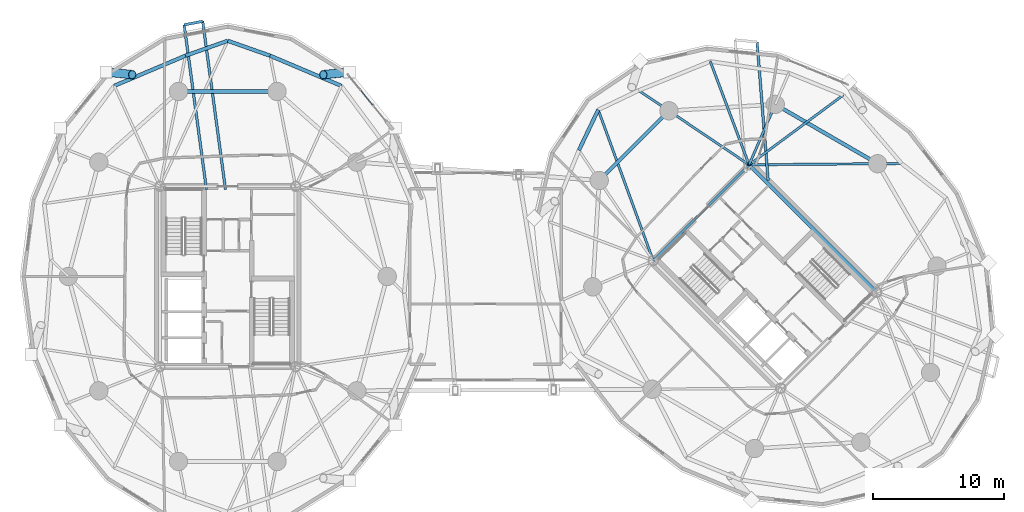
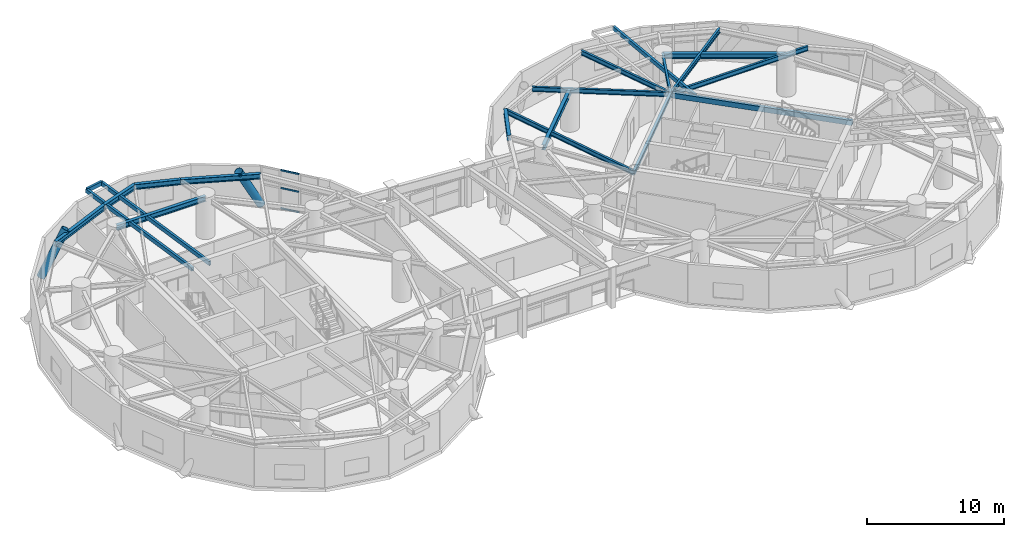
# One storey, part 7 of 20: 20 beams, 5 members, 1 element without a shape of its own.
"""IFC4 building model written with IfcOpenShell, lengths in metres."""

from ifc_helpers import new_model, si_unit, direction, frame, origin, origin_2d, place, context, subcontext, project, spatial, hollow_rectangle, hollow_circle, i_section, extrude, material, layer, layer_set, material_profile, profile_set, type_object, element, aggregate, save


model = new_model("IFC4")

# Units and contexts
model_context = context("Model", 3, precision=1e-05, world=origin(), true_north=direction((0.0, 1.0)))
body_context = subcontext(model_context, "Body", "Model", "MODEL_VIEW")
ifc_project = project(units=[si_unit("LENGTHUNIT", "METRE"), si_unit("AREAUNIT", "SQUARE_METRE"), si_unit("VOLUMEUNIT", "CUBIC_METRE"), si_unit("PLANEANGLEUNIT", "RADIAN"), si_unit("MASSUNIT", "GRAM", prefix="KILO")], contexts=[model_context])

# Site, building, storey
site_placement = place(None, origin())
site = spatial("IfcSite", under=ifc_project, at=site_placement, CompositionType="ELEMENT")
building_placement = place(site_placement, origin())
building = spatial("IfcBuilding", under=site, at=building_placement, Name="Cununo Teusaquillo Station Towers", CompositionType="ELEMENT")
storey_placement = place(building_placement, frame((0.0, 0.0, 140.320068359375)))
storey = spatial("IfcBuildingStorey", under=building, at=storey_placement, Name="L44", CompositionType="ELEMENT", Elevation=140.320068359375)

# Beams
ifc_material_1 = material(Name="Steel EN 10025-2 S355J2", Category="steel")
ifc_material_profile_1 = material_profile(ifc_material_1, hollow_rectangle(XDim=0.199951171875, YDim=0.35009765625, WallThickness=0.013916015625, at=origin_2d()), Name="RHS 350x200x14")
ifc_profile_set_1 = profile_set([ifc_material_profile_1], Name="Steel EN 10025-2 S355J2")
beam_type_1 = type_object("IfcBeamType", Name="BM-BAL-CANT", PredefinedType="BEAM", material=ifc_profile_set_1)
beam_1_placement = place(storey_placement, frame((16.325439453125, 31.14990234375, 3.304931640625), z_axis=(-0.13427925042, 0.990943531644, 0.0), x_axis=(-0.990943531644, -0.13427925042, 0.0)))
element("IfcBeam", 1, at=beam_1_placement, inside=storey, type_object=beam_type_1, Name="L44 Tower A Balcony Cantilever Bracket 1A", PredefinedType="BEAM", context=body_context, shape_type="SweptSolid", body=[
    extrude(hollow_rectangle(XDim=0.199951171875, YDim=0.35009765625, WallThickness=0.013916015625, at=origin_2d()), origin(), (0.0, 0.0, 1.0), 12.947021484375),
])
beam_2_placement = place(storey_placement, frame((14.872314453125, 31.14990234375, 3.304931640625), z_axis=(-0.134274846508, 0.990944128392, 0.0), x_axis=(-0.990944128392, -0.134274846508, 0.0)))
element("IfcBeam", 2, at=beam_2_placement, inside=storey, type_object=beam_type_1, Name="L44 Tower A Balcony Cantilever Bracket 1B", PredefinedType="BEAM", context=body_context, shape_type="SweptSolid", body=[
    extrude(hollow_rectangle(XDim=0.199951171875, YDim=0.35009765625, WallThickness=0.013916015625, at=origin_2d()), origin(), (0.0, 0.0, 1.0), 12.671142578125),
])
beam_3_placement = place(storey_placement, frame((57.74853515625, 31.8173828125, 3.304931640625), z_axis=(-0.079442545434, 0.996839446438, 0.0), x_axis=(-0.996839446438, -0.079442545434, 0.0)))
element("IfcBeam", 3, at=beam_3_placement, inside=storey, type_object=beam_type_1, Name="L44 Tower B Balcony Cantilever Bracket 1A", PredefinedType="BEAM", context=body_context, shape_type="SweptSolid", body=[
    extrude(hollow_rectangle(XDim=0.199951171875, YDim=0.35009765625, WallThickness=0.013916015625, at=origin_2d()), origin(), (0.0, 0.0, 1.0), 10.611572265625),
])
ifc_material_2 = material(Name="Steel EN 10025-2 S355J2", Category="steel")
ifc_material_profile_2 = material_profile(ifc_material_2, hollow_rectangle(XDim=0.25, YDim=0.449951171875, WallThickness=0.01611328125, at=origin_2d()), Name="RHS 450x250x16")
ifc_profile_set_2 = profile_set([ifc_material_profile_2], Name="Steel EN 10025-2 S355J2")
beam_type_2 = type_object("IfcBeamType", Name="BM-COUP-1", PredefinedType="USERDEFINED", material=ifc_profile_set_2)
beam_4_placement = place(storey_placement, frame((66.024169921875, 23.29443359375, 3.2548828125), z_axis=(-0.707106781187, 0.707106781187, 0.0), x_axis=(-0.707106781187, -0.707106781187, 0.0)))
element("IfcBeam", 4, at=beam_4_placement, inside=storey, type_object=beam_type_2, Name="L44 Tower B Core Beam 2", ObjectType="COUPLING BEAM", PredefinedType="USERDEFINED", context=body_context, shape_type="SweptSolid", body=[
    extrude(hollow_rectangle(XDim=0.25, YDim=0.449951171875, WallThickness=0.01611328125, at=origin_2d()), origin(), (0.0, 0.0, 1.0), 13.760009765625),
])
ifc_material_3 = material(Name="Steel ASTM A572 Grade 50", Category="steel")
ifc_material_profile_3 = material_profile(ifc_material_3, i_section(OverallWidth=0.180908203125, OverallDepth=0.4169921875, WebThickness=0.010986328125, FlangeThickness=0.018310546875, FilletRadius=0.012939453125, at=origin_2d()), Name="W16X57")
ifc_profile_set_3 = profile_set([ifc_material_profile_3], Name="Steel ASTM A572 Grade 50")
beam_type_3 = type_object("IfcBeamType", Name="BM-JOIST-1", PredefinedType="JOIST", material=ifc_profile_set_3)
beam_5_placement = place(storey_placement, frame((56.29443359375, 33.024169921875, 3.271484375), z_axis=(0.803848430471, 0.594834179272, 0.0), x_axis=(-0.594834179272, 0.803848430471, 0.0)))
element("IfcBeam", 5, at=beam_5_placement, inside=storey, type_object=beam_type_3, Name="L44 Tower B Radial Spandrel Joist V01", PredefinedType="JOIST", context=body_context, shape_type="SweptSolid", body=[
    extrude(i_section(OverallWidth=0.180908203125, OverallDepth=0.4169921875, WebThickness=0.010986328125, FlangeThickness=0.018310546875, FilletRadius=0.012939453125, at=origin_2d()), origin(), (0.0, 0.0, 1.0), 8.936767578125),
])
beam_6_placement = place(storey_placement, frame((56.29443359375, 33.024169921875, 3.271484375), z_axis=(-0.351348805076, 0.936244635323, 0.0), x_axis=(-0.936244635323, -0.351348805076, 0.0)))
element("IfcBeam", 6, at=beam_6_placement, inside=storey, type_object=beam_type_3, Name="L44 Tower B Radial Spandrel Joist V03", PredefinedType="JOIST", context=body_context, shape_type="SweptSolid", body=[
    extrude(i_section(OverallWidth=0.180908203125, OverallDepth=0.4169921875, WebThickness=0.010986328125, FlangeThickness=0.018310546875, FilletRadius=0.012939453125, at=origin_2d()), origin(), (0.0, 0.0, 1.0), 8.4287109375),
])
beam_7_placement = place(storey_placement, frame((48.975830078125, 25.70556640625, 3.271484375), z_axis=(-0.34241791496, 0.939547748395, 0.0), x_axis=(-0.939547748395, -0.34241791496, 0.0)))
element("IfcBeam", 7, at=beam_7_placement, inside=storey, type_object=beam_type_3, Name="L44 Tower B Radial Spandrel Joist V05", PredefinedType="JOIST", context=body_context, shape_type="SweptSolid", body=[
    extrude(i_section(OverallWidth=0.180908203125, OverallDepth=0.4169921875, WebThickness=0.010986328125, FlangeThickness=0.018310546875, FilletRadius=0.012939453125, at=origin_2d()), origin(), (0.0, 0.0, 1.0), 12.25634765625),
])
ifc_material_4 = material(Name="Steel ASTM A572 Grade 50", Category="steel")
ifc_material_profile_4 = material_profile(ifc_material_4, i_section(OverallWidth=0.2041015625, OverallDepth=0.35009765625, WebThickness=0.008544921875, FlangeThickness=0.01513671875, FilletRadius=0.011962890625, at=origin_2d()), Name="W14X48")
ifc_profile_set_4 = profile_set([ifc_material_profile_4], Name="Steel ASTM A572 Grade 50")
beam_type_4 = type_object("IfcBeamType", Name="BM-LINTEL-1", PredefinedType="LINTEL", material=ifc_profile_set_4)
beam_8_placement = place(storey_placement, frame((48.975830078125, 25.70556640625, 3.304931640625), z_axis=(0.707106781187, 0.707106781187, 0.0), x_axis=(-0.707106781187, 0.707106781187, 0.0)))
element("IfcBeam", 8, at=beam_8_placement, inside=storey, type_object=beam_type_4, Name="L44 Tower B Core Beam 4", PredefinedType="LINTEL", context=body_context, shape_type="SweptSolid", body=[
    extrude(i_section(OverallWidth=0.2041015625, OverallDepth=0.35009765625, WebThickness=0.008544921875, FlangeThickness=0.01513671875, FilletRadius=0.011962890625, at=origin_2d()), origin(), (0.0, 0.0, 1.0), 10.35009765625),
])
ifc_material_5 = material(Name="Steel ASTM A572 Grade 50", Category="steel")
ifc_material_profile_5 = material_profile(ifc_material_5, i_section(OverallWidth=0.180908203125, OverallDepth=0.4169921875, WebThickness=0.010986328125, FlangeThickness=0.018310546875, FilletRadius=0.012939453125, at=origin_2d()), Name="W16X57")
ifc_profile_set_5 = profile_set([ifc_material_profile_5], Name="Steel ASTM A572 Grade 50")
beam_type_5 = type_object("IfcBeamType", Name="BM-RAD-G2", PredefinedType="BEAM", material=ifc_profile_set_5)
beam_9_placement = place(storey_placement, frame((56.29443359375, 33.024169921875, 3.271484375), z_axis=(0.999964454788, 0.008431438866, 0.0), x_axis=(-0.008431438866, 0.999964454788, 0.0)))
element("IfcBeam", 9, at=beam_9_placement, inside=storey, type_object=beam_type_5, Name="L44 Tower B Continuous Overhanging Radial Girder 01", PredefinedType="BEAM", context=body_context, shape_type="SweptSolid", body=[
    extrude(i_section(OverallWidth=0.180908203125, OverallDepth=0.4169921875, WebThickness=0.010986328125, FlangeThickness=0.018310546875, FilletRadius=0.012939453125, at=origin_2d()), origin(), (0.0, 0.0, 1.0), 11.640380859375),
])
beam_10_placement = place(storey_placement, frame((56.29443359375, 33.024169921875, 3.271484375), z_axis=(0.397346986387, 0.917668443616, 0.0), x_axis=(-0.917668443616, 0.397346986387, 0.0)))
element("IfcBeam", 10, at=beam_10_placement, inside=storey, type_object=beam_type_5, Name="L44 Tower B Radial Girder 02A", PredefinedType="BEAM", context=body_context, shape_type="SweptSolid", body=[
    extrude(i_section(OverallWidth=0.180908203125, OverallDepth=0.4169921875, WebThickness=0.010986328125, FlangeThickness=0.018310546875, FilletRadius=0.012939453125, at=origin_2d()), origin(), (0.0, 0.0, 1.0), 5.02490234375),
])
beam_11_placement = place(storey_placement, frame((56.29443359375, 33.024169921875, 3.271484375), z_axis=(-0.829456923219, 0.558570687133, 0.0), x_axis=(-0.558570687133, -0.829456923219, 0.0)))
element("IfcBeam", 11, at=beam_11_placement, inside=storey, type_object=beam_type_5, Name="L44 Tower B Continuous Overhanging Radial Girder 03", PredefinedType="BEAM", context=body_context, shape_type="SweptSolid", body=[
    extrude(i_section(OverallWidth=0.180908203125, OverallDepth=0.4169921875, WebThickness=0.010986328125, FlangeThickness=0.018310546875, FilletRadius=0.012939453125, at=origin_2d()), origin(), (0.0, 0.0, 1.0), 10.1591796875),
])
ifc_material_6 = material(Name="Steel ASTM A572 Grade 50", Category="steel")
ifc_material_profile_6 = material_profile(ifc_material_6, i_section(OverallWidth=0.280029296875, OverallDepth=0.462890625, WebThickness=0.0107421875, FlangeThickness=0.017333984375, FilletRadius=0.013916015625, at=origin_2d()), Name="W18X76")
ifc_profile_set_6 = profile_set([ifc_material_profile_6], Name="Steel ASTM A572 Grade 50")
beam_type_6 = type_object("IfcBeamType", Name="BM-RING-Z2", PredefinedType="SPANDREL", material=ifc_profile_set_6)
beam_12_placement = place(storey_placement, frame((20.261474609375, 38.623291015625, 3.24853515625), z_axis=(-1.0, 0.0, 0.0), x_axis=(0.0, -1.0, 0.0)))
element("IfcBeam", 12, at=beam_12_placement, inside=storey, type_object=beam_type_6, Name="L44 Tower A Structural Column Ring Girder 03", PredefinedType="SPANDREL", context=body_context, shape_type="SweptSolid", body=[
    extrude(i_section(OverallWidth=0.280029296875, OverallDepth=0.462890625, WebThickness=0.0107421875, FlangeThickness=0.017333984375, FilletRadius=0.013916015625, at=origin_2d()), origin(), (0.0, 0.0, 1.0), 7.52294921875),
])
beam_13_placement = place(storey_placement, frame((25.160888671875, 39.05419921875, 3.24853515625), z_axis=(-0.921042081118, 0.38946307246, 0.0), x_axis=(-0.38946307246, -0.921042081118, 0.0)))
element("IfcBeam", 13, at=beam_13_placement, inside=storey, type_object=beam_type_6, Name="L44 Tower A Spandrel Ring Beam 04", PredefinedType="SPANDREL", context=body_context, shape_type="SweptSolid", body=[
    extrude(i_section(OverallWidth=0.280029296875, OverallDepth=0.462890625, WebThickness=0.0107421875, FlangeThickness=0.017333984375, FilletRadius=0.013916015625, at=origin_2d()), origin(), (0.0, 0.0, 1.0), 5.8974609375),
])
for number, where, z_axis, x_axis, name in (
    (14, (19.72900390625, 41.35107421875, 3.24853515625), (-0.943057449198, 0.332629895698, 0.0), (-0.332629895698, -0.943057449198, 0.0), "L44 Tower A Spandrel Ring Beam 05"),
    (15, (16.5, 42.489990234375, 3.24853515625), (-0.943057449198, -0.332629895698, 0.0), (0.332629895698, -0.943057449198, 0.0), "L44 Tower A Spandrel Ring Beam 06"),
):
    element("IfcBeam", number, at=place(storey_placement, frame(where, z_axis=z_axis, x_axis=x_axis)), inside=storey, type_object=beam_type_6, Name=name, PredefinedType="SPANDREL", context=body_context, shape_type="SweptSolid", body=[
        extrude(i_section(OverallWidth=0.280029296875, OverallDepth=0.462890625, WebThickness=0.0107421875, FlangeThickness=0.017333984375, FilletRadius=0.013916015625, at=origin_2d()), origin(), (0.0, 0.0, 1.0), 3.424072265625),
    ])
beam_14_placement = place(storey_placement, frame((13.27099609375, 41.35107421875, 3.24853515625), z_axis=(-0.921042081118, -0.38946307246, 0.0), x_axis=(0.38946307246, -0.921042081118, 0.0)))
element("IfcBeam", 16, at=beam_14_placement, inside=storey, type_object=beam_type_6, Name="L44 Tower A Spandrel Ring Beam 07", PredefinedType="SPANDREL", context=body_context, shape_type="SweptSolid", body=[
    extrude(i_section(OverallWidth=0.280029296875, OverallDepth=0.462890625, WebThickness=0.0107421875, FlangeThickness=0.017333984375, FilletRadius=0.013916015625, at=origin_2d()), origin(), (0.0, 0.0, 1.0), 5.8974609375),
])
beam_15_placement = place(storey_placement, frame((66.10693359375, 33.10693359375, 3.24853515625), z_axis=(-0.865267103202, 0.501311121078, 0.0), x_axis=(-0.501311121078, -0.865267103202, 0.0)))
element("IfcBeam", 17, at=beam_15_placement, inside=storey, type_object=beam_type_6, Name="L44 Tower B Structural Column Ring Girder 01", PredefinedType="SPANDREL", context=body_context, shape_type="SweptSolid", body=[
    extrude(i_section(OverallWidth=0.280029296875, OverallDepth=0.462890625, WebThickness=0.0107421875, FlangeThickness=0.017333984375, FilletRadius=0.013916015625, at=origin_2d()), origin(), (0.0, 0.0, 1.0), 9.032958984375),
])
beam_16_placement = place(storey_placement, frame((50.173095703125, 37.146240234375, 3.24853515625), z_axis=(-0.707106781187, -0.707106781187, 0.0), x_axis=(0.707106781187, -0.707106781187, 0.0)))
element("IfcBeam", 18, at=beam_16_placement, inside=storey, type_object=beam_type_6, Name="L44 Tower B Structural Column Ring Girder 03", PredefinedType="SPANDREL", context=body_context, shape_type="SweptSolid", body=[
    extrude(i_section(OverallWidth=0.280029296875, OverallDepth=0.462890625, WebThickness=0.0107421875, FlangeThickness=0.017333984375, FilletRadius=0.013916015625, at=origin_2d()), origin(), (0.0, 0.0, 1.0), 7.522705078125),
])
beam_17_placement = place(storey_placement, frame((44.779052734375, 37.220947265625, 3.24853515625), z_axis=(-0.431574069634, -0.902077503555, 0.0), x_axis=(0.902077503555, -0.431574069634, 0.0)))
element("IfcBeam", 19, at=beam_17_placement, inside=storey, type_object=beam_type_6, Name="L44 Tower B Spandrel Ring Beam 06", PredefinedType="SPANDREL", context=body_context, shape_type="SweptSolid", body=[
    extrude(i_section(OverallWidth=0.280029296875, OverallDepth=0.462890625, WebThickness=0.0107421875, FlangeThickness=0.017333984375, FilletRadius=0.013916015625, at=origin_2d()), origin(), (0.0, 0.0, 1.0), 3.424072265625),
])
ifc_material_7 = material(Name="Steel EN 10025-2 S355J2", Category="steel")
ifc_material_profile_7 = material_profile(ifc_material_7, hollow_rectangle(XDim=0.199951171875, YDim=0.35009765625, WallThickness=0.013916015625, at=origin_2d()), Name="RHS 350x200x14")
ifc_profile_set_7 = profile_set([ifc_material_profile_7], Name="Steel EN 10025-2 S355J2")
beam_type_7 = type_object("IfcBeamType", Name="BM-STAIR-TRIM", PredefinedType="BEAM", material=ifc_profile_set_7)
beam_18_placement = place(storey_placement, frame((14.5869140625, 43.979736328125, 3.3349609375), z_axis=(-0.981861262275, -0.189600795474, 0.0), x_axis=(0.189600795474, -0.981861262275, 0.0)))
element("IfcBeam", 20, at=beam_18_placement, inside=storey, type_object=beam_type_7, Name="L44 Tower A Balcony Edge Trimmer Beam 1", PredefinedType="BEAM", context=body_context, shape_type="SweptSolid", body=[
    extrude(hollow_rectangle(XDim=0.199951171875, YDim=0.35009765625, WallThickness=0.013916015625, at=origin_2d()), origin(), (0.0, 0.0, 1.0), 1.442138671875),
])

# Curtain wall, members
ifc_material_8 = material(Name="Ceramic-fritted dark low-E double glazing", Category="glass")
ifc_layer = layer(ifc_material_8, 0.179931640625)
ifc_layer_set = layer_set([ifc_layer], Name="Ceramic-fritted dark low-E double glazing")
curtain_wall_type = type_object("IfcCurtainWallType", Name="CW-SYS-04", PredefinedType="USERDEFINED", material=ifc_layer_set)
curtain_wall_placement = place(storey_placement, origin())
curtain_wall = element("IfcCurtainWall", 21, at=curtain_wall_placement, inside=storey, type_object=curtain_wall_type, Name="L44 Tower A Facade Curtain Wall C02", ObjectType="FRITTED GLAZING", PredefinedType="USERDEFINED")
ifc_material_9 = material(Name="Anodised dark bronze aluminium EN AW-6063-T6", Category="aluminium")
ifc_material_profile_8 = material_profile(ifc_material_9, hollow_rectangle(XDim=0.070068359375, YDim=0.139892578125, WallThickness=0.00390625, at=origin_2d()), Name="CW-TRAN-70x140")
ifc_profile_set_8 = profile_set([ifc_material_profile_8], Name="Anodised dark bronze aluminium EN AW-6063-T6")
member_type_1 = type_object("IfcMemberType", Name="CWT-140", PredefinedType="USERDEFINED", material=ifc_profile_set_8)
member_1_placement = place(storey_placement, frame((26.650146484375, 38.714111328125, 0.034912109375), z_axis=(0.632701424025, -0.774395834207, 0.0), x_axis=(0.774395834207, 0.632701424025, 0.0)))
member_1 = element("IfcMember", 22, at=member_1_placement, type_object=member_type_1, Name="CW-04 transom 2.1", ObjectType="TRANSOM", PredefinedType="USERDEFINED", context=body_context, shape_type="SweptSolid", body=[
    extrude(hollow_rectangle(XDim=0.070068359375, YDim=0.139892578125, WallThickness=0.00390625, at=origin_2d()), origin(), (0.0, 0.0, 1.0), 1.462890625),
])
member_2_placement = place(storey_placement, frame((26.650146484375, 38.714111328125, 1.849853515625), z_axis=(0.632701424025, -0.774395834207, 0.0), x_axis=(0.774395834207, 0.632701424025, 0.0)))
member_2 = element("IfcMember", 23, at=member_2_placement, type_object=member_type_1, Name="CW-04 transom 2.2", ObjectType="TRANSOM", PredefinedType="USERDEFINED", context=body_context, shape_type="SweptSolid", body=[
    extrude(hollow_rectangle(XDim=0.070068359375, YDim=0.139892578125, WallThickness=0.00390625, at=origin_2d()), origin(), (0.0, 0.0, 1.0), 1.462890625),
])
member_3_placement = place(storey_placement, frame((26.650146484375, 38.714111328125, 3.429931640625), z_axis=(0.632701424025, -0.774395834207, 0.0), x_axis=(0.774395834207, 0.632701424025, 0.0)))
member_3 = element("IfcMember", 24, at=member_3_placement, type_object=member_type_1, Name="CW-04 transom 2.3", ObjectType="TRANSOM", PredefinedType="USERDEFINED", context=body_context, shape_type="SweptSolid", body=[
    extrude(hollow_rectangle(XDim=0.070068359375, YDim=0.139892578125, WallThickness=0.00390625, at=origin_2d()), origin(), (0.0, 0.0, 1.0), 1.462890625),
])
aggregate(curtain_wall, [member_1, member_2, member_3])

# Members
ifc_material_10 = material(Name="Steel EN 10025-2 S355J2", Category="steel")
ifc_material_profile_9 = material_profile(ifc_material_10, hollow_circle(Radius=0.330078125, WallThickness=0.02490234375, at=origin_2d()), Name="CHS 660x25")
ifc_profile_set_9 = profile_set([ifc_material_profile_9], Name="Steel EN 10025-2 S355J2")
member_type_2 = type_object("IfcMemberType", Name="MBR-DIAG-Z2", PredefinedType="BRACE", material=ifc_profile_set_9)
for number, where, z_axis, x_axis, name in (
    (25, (25.78759765625, 40.10595703125, -0.14013671875), (-0.47224557706, -0.047311208271, 0.880196435189), (0.099684482044, -0.995019097324, 0.0), "L44 Tower A Folded-Zigzag Diagrid Tube C03"),
    (26, (7.21240234375, 40.10595703125, -0.14013671875), (0.47224557706, -0.047311208271, 0.880196435189), (0.099684482044, 0.995019097324, 0.0), "L44 Tower A Folded-Zigzag Diagrid Tube C06"),
):
    element("IfcMember", number, at=place(storey_placement, frame(where, z_axis=z_axis, x_axis=x_axis)), inside=storey, type_object=member_type_2, Name=name, PredefinedType="BRACE", context=body_context, shape_type="SweptSolid", body=[
        extrude(hollow_circle(Radius=0.330078125, WallThickness=0.02490234375, at=origin_2d()), origin(), (0.0, 0.0, 1.0), 4.226318359375),
    ])

save(model, "model.ifc")
